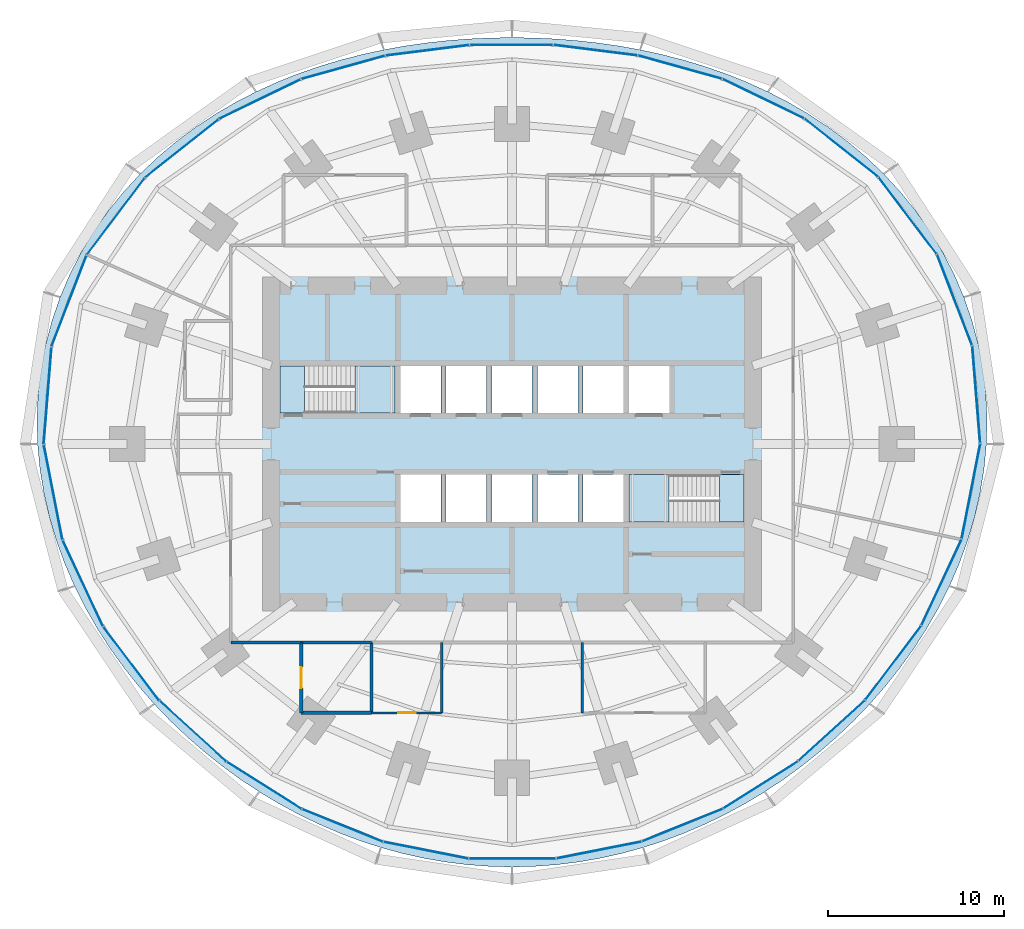
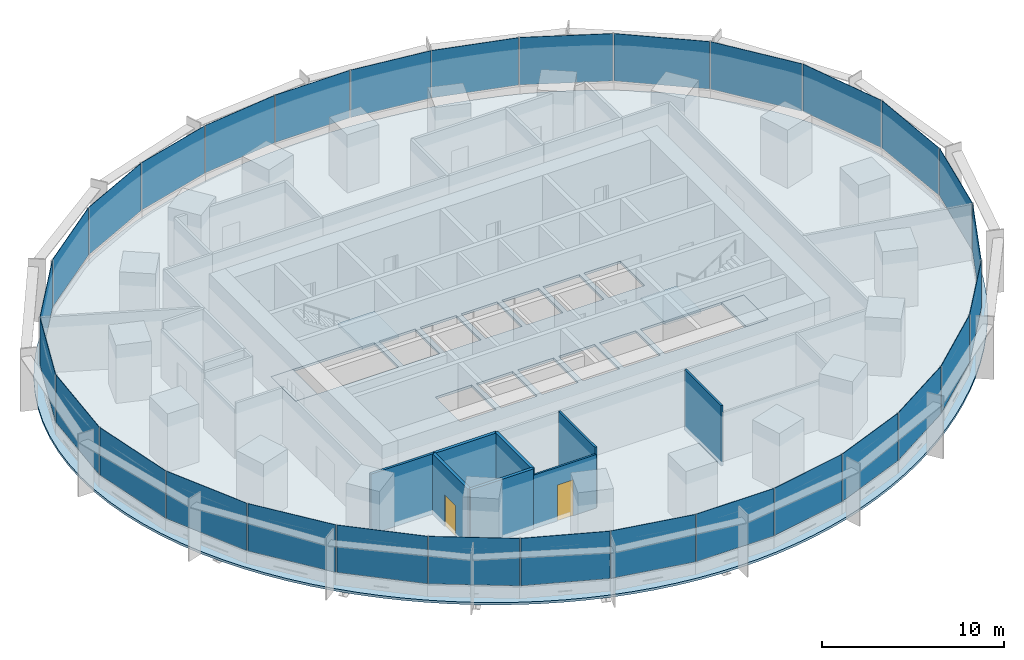
# One storey, part 10 of 15: 30 plates, 8 walls, 5 slabs, 2 doors, 2 openings, 8 elements without a shape of their own.
"""IFC4 building model written with IfcOpenShell, lengths in metres."""

from ifc_helpers import new_model, si_unit, direction, frame, frame_2d, origin, origin_2d, place, context, subcontext, project, spatial, polyline, rectangle, outline, extrude, material, layer, layer_set, type_object, element, fill, aggregate, save


model = new_model("IFC4")

# Units and contexts
model_context = context("Model", 3, precision=1e-05, world=origin(), true_north=direction((0.0, 1.0)))
body_context = subcontext(model_context, "Body", "Model", "MODEL_VIEW")
ifc_project = project(units=[si_unit("LENGTHUNIT", "METRE"), si_unit("AREAUNIT", "SQUARE_METRE"), si_unit("VOLUMEUNIT", "CUBIC_METRE"), si_unit("PLANEANGLEUNIT", "RADIAN"), si_unit("MASSUNIT", "GRAM", prefix="KILO")], contexts=[model_context])

# Site, building, storey
site_placement = place(None, origin())
site = spatial("IfcSite", under=ifc_project, at=site_placement, CompositionType="ELEMENT")
building_placement = place(site_placement, origin())
building = spatial("IfcBuilding", under=site, at=building_placement, Name="Marramba Exchange Tower", CompositionType="ELEMENT")
storey_placement = place(building_placement, frame((0.0, 0.0, 40.60009765625)))
storey = spatial("IfcBuildingStorey", under=building, at=storey_placement, Name="L09", CompositionType="ELEMENT", Elevation=40.60009765625)

# Slab
ifc_material_1 = material(Name="Concrete N40", Category="concrete")
ifc_layer_1 = layer(ifc_material_1, 0.159912109375)
ifc_layer_set_1 = layer_set([ifc_layer_1], Name="Composite floor slab 160")
slab_type_1 = type_object("IfcSlabType", Name="Composite floor slab 160", PredefinedType="FLOOR", material=ifc_layer_set_1)
slab_1_placement = place(storey_placement, frame((0.0, 0.0, -0.16015625)))
element("IfcSlab", 1, at=slab_1_placement, inside=storey, type_object=slab_type_1, Name="Floor slab L09", PredefinedType="FLOOR", context=body_context, shape_type="SweptSolid", body=[
    extrude(outline(polyline([(27.0, 0.0), (27.035888671875, 1.4169921875), (26.97265625, 2.8349609375), (26.80859375, 4.24609375), (26.5439453125, 5.64208984375), (26.179443359375, 7.0146484375), (25.717529296875, 8.356201171875), (25.16162109375, 9.65869140625), (24.516357421875, 10.915283203125), (23.786865234375, 12.1201171875), (22.9794921875, 13.267333984375), (22.10107421875, 14.3525390625), (21.158447265625, 15.37255859375), (20.159423828125, 16.32470703125), (19.11083984375, 17.20751953125), (18.020263671875, 18.020263671875), (16.89453125, 18.763427734375), (15.740478515625, 19.437744140625), (14.563720703125, 20.04541015625), (13.3701171875, 20.588134765625), (12.164306640625, 21.069091796875), (10.9501953125, 21.4912109375), (9.7314453125, 21.857421875), (8.5107421875, 22.1708984375), (7.289794921875, 22.435302734375), (6.06982421875, 22.6533203125), (4.85205078125, 22.827392578125), (3.636474609375, 22.96044921875), (2.423095703125, 23.053955078125), (1.211181640625, 23.109619140625), (0.0, 23.1279296875), (-1.211181640625, 23.109619140625), (-2.423095703125, 23.053955078125), (-3.636474609375, 22.96044921875), (-4.85205078125, 22.827392578125), (-6.06982421875, 22.6533203125), (-7.289794921875, 22.435302734375), (-8.5107421875, 22.1708984375), (-9.7314453125, 21.857421875), (-10.9501953125, 21.4912109375), (-12.164306640625, 21.069091796875), (-13.3701171875, 20.588134765625), (-14.563720703125, 20.04541015625), (-15.740478515625, 19.437744140625), (-16.89453125, 18.763427734375), (-18.020263671875, 18.020263671875), (-19.11083984375, 17.20751953125), (-20.159423828125, 16.32470703125), (-21.158447265625, 15.37255859375), (-22.10107421875, 14.3525390625), (-22.9794921875, 13.267333984375), (-23.786865234375, 12.1201171875), (-24.516357421875, 10.915283203125), (-25.16162109375, 9.65869140625), (-25.717529296875, 8.356201171875), (-26.179443359375, 7.0146484375), (-26.5439453125, 5.64208984375), (-26.80859375, 4.24609375), (-26.97265625, 2.8349609375), (-27.035888671875, 1.4169921875), (-27.0, 0.0), (-26.8671875, -1.407958984375), (-26.64111328125, -2.800048828125), (-26.326171875, -4.169677734375), (-25.927001953125, -5.510986328125), (-25.44921875, -6.819091796875), (-24.8984375, -8.090087890625), (-24.280517578125, -9.320556640625), (-23.60107421875, -10.5078125), (-22.865234375, -11.650390625), (-22.078369140625, -12.7470703125), (-21.244873046875, -13.796630859375), (-20.36865234375, -14.798583984375), (-19.453369140625, -15.753173828125), (-18.502197265625, -16.659423828125), (-17.517578125, -17.517578125), (-16.501953125, -18.327392578125), (-15.457275390625, -19.088134765625), (-14.385009765625, -19.799072265625), (-13.286865234375, -20.459716796875), (-12.164306640625, -21.069091796875), (-11.01904296875, -21.6259765625), (-9.8525390625, -22.129150390625), (-8.66650390625, -22.577392578125), (-7.463134765625, -22.968994140625), (-6.244140625, -23.30322265625), (-5.01171875, -23.578369140625), (-3.7685546875, -23.793701171875), (-2.51708984375, -23.947998046875), (-1.260009765625, -24.041015625), (0.0, -24.072021484375), (1.260009765625, -24.041015625), (2.51708984375, -23.947998046875), (3.7685546875, -23.793701171875), (5.01171875, -23.578369140625), (6.244140625, -23.30322265625), (7.463134765625, -22.968994140625), (8.66650390625, -22.577392578125), (9.8525390625, -22.129150390625), (11.01904296875, -21.6259765625), (12.164306640625, -21.069091796875), (13.286865234375, -20.459716796875), (14.385009765625, -19.799072265625), (15.457275390625, -19.088134765625), (16.501953125, -18.327392578125), (17.517578125, -17.517578125), (18.502197265625, -16.659423828125), (19.453369140625, -15.753173828125), (20.36865234375, -14.798583984375), (21.244873046875, -13.796630859375), (22.078369140625, -12.7470703125), (22.865234375, -11.650390625), (23.60107421875, -10.5078125), (24.280517578125, -9.320556640625), (24.8984375, -8.090087890625), (25.44921875, -6.819091796875), (25.927001953125, -5.510986328125), (26.326171875, -4.169677734375), (26.64111328125, -2.800048828125), (26.8671875, -1.407958984375), (27.0, 0.0)]), holes=[polyline([(-6.35009765625, 1.75), (-4.050048828125, 1.75), (-4.050048828125, 4.449951171875), (-6.35009765625, 4.449951171875), (-6.35009765625, 1.75)]), polyline([(-3.75, 1.75), (-1.449951171875, 1.75), (-1.449951171875, 4.449951171875), (-3.75, 4.449951171875), (-3.75, 1.75)]), polyline([(-1.14990234375, 1.75), (1.14990234375, 1.75), (1.14990234375, 4.449951171875), (-1.14990234375, 4.449951171875), (-1.14990234375, 1.75)]), polyline([(1.449951171875, 1.75), (3.75, 1.75), (3.75, 4.449951171875), (1.449951171875, 4.449951171875), (1.449951171875, 1.75)]), polyline([(4.050048828125, 1.75), (6.35009765625, 1.75), (6.35009765625, 4.449951171875), (4.050048828125, 4.449951171875), (4.050048828125, 1.75)]), polyline([(-6.35009765625, -4.449951171875), (-4.050048828125, -4.449951171875), (-4.050048828125, -1.75), (-6.35009765625, -1.75), (-6.35009765625, -4.449951171875)]), polyline([(-3.75, -4.449951171875), (-1.449951171875, -4.449951171875), (-1.449951171875, -1.75), (-3.75, -1.75), (-3.75, -4.449951171875)]), polyline([(-1.14990234375, -4.449951171875), (1.14990234375, -4.449951171875), (1.14990234375, -1.75), (-1.14990234375, -1.75), (-1.14990234375, -4.449951171875)]), polyline([(1.449951171875, -4.449951171875), (3.75, -4.449951171875), (3.75, -1.75), (1.449951171875, -1.75), (1.449951171875, -4.449951171875)]), polyline([(4.050048828125, -4.449951171875), (6.35009765625, -4.449951171875), (6.35009765625, -1.75), (4.050048828125, -1.75), (4.050048828125, -4.449951171875)]), polyline([(6.64990234375, 1.75), (8.949951171875, 1.75), (8.949951171875, 4.449951171875), (6.64990234375, 4.449951171875), (6.64990234375, 1.75)]), polyline([(-13.199951171875, 1.75), (-6.64990234375, 1.75), (-6.64990234375, 4.449951171875), (-13.199951171875, 4.449951171875), (-13.199951171875, 1.75)]), polyline([(6.64990234375, -4.449951171875), (13.199951171875, -4.449951171875), (13.199951171875, -1.75), (6.64990234375, -1.75), (6.64990234375, -4.449951171875)])]), origin(), (0.0, 0.0, 1.0), 0.16015625),
])

# Stair, slabs
ifc_material_2 = material(Name="Concrete N40 (40 MPa)", Category="concrete")
stair_type_1 = type_object("IfcStairType", Name="Exit stair ST1 4200 x 1250", PredefinedType="HALF_TURN_STAIR", material=ifc_material_2)
stair_1_placement = place(storey_placement, origin())
stair_1 = element("IfcStair", 2, at=stair_1_placement, inside=storey, type_object=stair_type_1, Name="Exit stair ST1 L09", PredefinedType="HALF_TURN_STAIR")
ifc_layer_2 = layer(ifc_material_2, 0.199951171875)
ifc_layer_set_2 = layer_set([ifc_layer_2], Name="Stair landing 200")
slab_type_2 = type_object("IfcSlabType", Name="Stair landing 200", PredefinedType="LANDING", material=ifc_layer_set_2)
slab_2_placement = place(storey_placement, frame((0.0, 0.0, -0.2001953125)))
slab_2 = element("IfcSlab", 3, at=slab_2_placement, type_object=slab_type_2, Name="ST1 landing 1", PredefinedType="LANDING", context=body_context, shape_type="SweptSolid", body=[
    extrude(outline(polyline([(-13.199951171875, 1.75), (-11.800048828125, 1.75), (-11.800048828125, 4.449951171875), (-13.199951171875, 4.449951171875), (-13.199951171875, 1.75)])), origin(), (0.0, 0.0, 1.0), 0.2001953125),
])
slab_3_placement = place(storey_placement, frame((0.0, 0.0, 1.89990234375)))
slab_3 = element("IfcSlab", 4, at=slab_3_placement, type_object=slab_type_2, Name="ST1 landing 2", PredefinedType="LANDING", context=body_context, shape_type="SweptSolid", body=[
    extrude(outline(polyline([(-8.93994140625, 1.75), (-6.64990234375, 1.75), (-6.64990234375, 4.449951171875), (-8.93994140625, 4.449951171875), (-8.93994140625, 1.75)])), origin(), (0.0, 0.0, 1.0), 0.199951171875),
])
aggregate(stair_1, [slab_2, slab_3])

stair_type_2 = type_object("IfcStairType", Name="Exit stair ST2 4200 x 1250", PredefinedType="HALF_TURN_STAIR", material=ifc_material_2)
stair_2_placement = place(storey_placement, origin())
stair_2 = element("IfcStair", 5, at=stair_2_placement, inside=storey, type_object=stair_type_2, Name="Exit stair ST2 L09", PredefinedType="HALF_TURN_STAIR")
slab_4_placement = place(storey_placement, frame((0.0, 0.0, -0.2001953125)))
slab_4 = element("IfcSlab", 6, at=slab_4_placement, type_object=slab_type_2, Name="ST2 landing 1", PredefinedType="LANDING", context=body_context, shape_type="SweptSolid", body=[
    extrude(outline(polyline([(11.800048828125, -4.449951171875), (13.199951171875, -4.449951171875), (13.199951171875, -1.75), (11.800048828125, -1.75), (11.800048828125, -4.449951171875)])), origin(), (0.0, 0.0, 1.0), 0.2001953125),
])
slab_5_placement = place(storey_placement, frame((0.0, 0.0, 1.89990234375)))
slab_5 = element("IfcSlab", 7, at=slab_5_placement, type_object=slab_type_2, Name="ST2 landing 2", PredefinedType="LANDING", context=body_context, shape_type="SweptSolid", body=[
    extrude(outline(polyline([(6.64990234375, -4.449951171875), (8.93994140625, -4.449951171875), (8.93994140625, -1.75), (6.64990234375, -1.75), (6.64990234375, -4.449951171875)])), origin(), (0.0, 0.0, 1.0), 0.199951171875),
])
aggregate(stair_2, [slab_4, slab_5])

# Curtain wall, plates
ifc_material_3 = material(Name="Aluminium framing, bronze anodised", Category="aluminium")
curtain_wall_type = type_object("IfcCurtainWallType", Name="Trading floor ribbon curtain wall", PredefinedType="USERDEFINED", material=ifc_material_3)
curtain_wall_1_placement = place(storey_placement, origin())
curtain_wall_1 = element("IfcCurtainWall", 8, at=curtain_wall_1_placement, inside=storey, type_object=curtain_wall_type, Name="Curtain wall CW3 L09 F01-F05", ObjectType="RIBBON CURTAIN WALL", PredefinedType="USERDEFINED")
ifc_material_4 = material(Name="Double glazed unit 10 + 12 + 8.76, bronze tinted", Category="glass")
ifc_layer_3 = layer(ifc_material_4, 0.03076171875)
ifc_layer_set_3 = layer_set([ifc_layer_3], Name="Trading floor ribbon curtain wall panel")
plate_type = type_object("IfcPlateType", Name="Trading floor ribbon curtain wall panel", PredefinedType="CURTAIN_PANEL", material=ifc_layer_set_3)
plate_1_placement = place(storey_placement, frame((26.42333984375, 2.814453125, 0.85986328125), z_axis=(0.0, 0.0, 1.0), x_axis=(-0.080275225953, 0.996772736434, 0.0)))
plate_1 = element("IfcPlate", 9, at=plate_1_placement, type_object=plate_type, Name="CW3 vision panel", PredefinedType="CURTAIN_PANEL", context=body_context, shape_type="SweptSolid", body=[
    extrude(rectangle(XDim=5.52734375, YDim=0.03076171875, at=origin_2d()), origin(), (0.0, 0.0, 1.0), 3.179931640625),
])
plate_2_placement = place(storey_placement, frame((25.188232421875, 8.19921875, 0.85986328125), z_axis=(0.0, 0.0, 1.0), x_axis=(-0.359525510698, 0.933135256626, 0.0)))
plate_2 = element("IfcPlate", 10, at=plate_2_placement, type_object=plate_type, Name="CW3 vision panel", PredefinedType="CURTAIN_PANEL", context=body_context, shape_type="SweptSolid", body=[
    extrude(rectangle(XDim=5.5166015625, YDim=0.03076171875, at=origin_2d()), origin(), (0.0, 0.0, 1.0), 3.179931640625),
])
plate_3_placement = place(storey_placement, frame((22.517822265625, 12.993896484375, 0.85986328125), z_axis=(0.0, 0.0, 1.0), x_axis=(-0.602989765036, 0.797748922445, 0.0)))
plate_3 = element("IfcPlate", 11, at=plate_3_placement, type_object=plate_type, Name="CW3 vision panel", PredefinedType="CURTAIN_PANEL", context=body_context, shape_type="SweptSolid", body=[
    extrude(rectangle(XDim=5.44775390625, YDim=0.03076171875, at=origin_2d()), origin(), (0.0, 0.0, 1.0), 3.179931640625),
])
plate_4_placement = place(storey_placement, frame((18.744384765625, 16.853759765625, 0.85986328125), z_axis=(0.0, 0.0, 1.0), x_axis=(-0.784087949432, 0.620649730166, 0.0)))
plate_4 = element("IfcPlate", 12, at=plate_4_placement, type_object=plate_type, Name="CW3 vision panel", PredefinedType="CURTAIN_PANEL", context=body_context, shape_type="SweptSolid", body=[
    extrude(rectangle(XDim=5.315673828125, YDim=0.03076171875, at=origin_2d()), origin(), (0.0, 0.0, 1.0), 3.179931640625),
])
plate_5_placement = place(storey_placement, frame((14.2978515625, 19.647705078125, 0.85986328125), z_axis=(0.0, 0.0, 1.0), x_axis=(-0.899963433508, 0.43596538664, 0.0)))
plate_5 = element("IfcPlate", 13, at=plate_5_placement, type_object=plate_type, Name="CW3 vision panel", PredefinedType="CURTAIN_PANEL", context=body_context, shape_type="SweptSolid", body=[
    extrude(rectangle(XDim=5.13037109375, YDim=0.03076171875, at=origin_2d()), origin(), (0.0, 0.0, 1.0), 3.179931640625),
])
aggregate(curtain_wall_1, [plate_1, plate_2, plate_3, plate_4, plate_5])

curtain_wall_2_placement = place(storey_placement, origin())
curtain_wall_2 = element("IfcCurtainWall", 14, at=curtain_wall_2_placement, inside=storey, type_object=curtain_wall_type, Name="Curtain wall CW3 L09 F06-F10", ObjectType="RIBBON CURTAIN WALL", PredefinedType="USERDEFINED")
plate_6_placement = place(storey_placement, frame((9.556396484375, 21.4423828125, 0.85986328125), z_axis=(0.0, 0.0, 1.0), x_axis=(-0.963472096649, 0.267808735815, 0.0)))
plate_6 = element("IfcPlate", 15, at=plate_6_placement, type_object=plate_type, Name="CW3 vision panel", PredefinedType="CURTAIN_PANEL", context=body_context, shape_type="SweptSolid", body=[
    extrude(rectangle(XDim=4.929931640625, YDim=0.03076171875, at=origin_2d()), origin(), (0.0, 0.0, 1.0), 3.179931640625),
])
plate_7_placement = place(storey_placement, frame((4.754150390625, 22.407958984375, 0.85986328125), z_axis=(0.0, 0.0, 1.0), x_axis=(-0.992172768738, 0.124872723099, 0.0)))
plate_7 = element("IfcPlate", 16, at=plate_7_placement, type_object=plate_type, Name="CW3 vision panel", PredefinedType="CURTAIN_PANEL", context=body_context, shape_type="SweptSolid", body=[
    extrude(rectangle(XDim=4.77294921875, YDim=0.03076171875, at=origin_2d()), origin(), (0.0, 0.0, 1.0), 3.179931640625),
])
plate_8_placement = place(storey_placement, frame((-0.030029296875, 22.7060546875, 0.85986328125), z_axis=(0.0, 0.0, 1.0), x_axis=(-1.0, 0.0, 0.0)))
plate_8 = element("IfcPlate", 17, at=plate_8_placement, type_object=plate_type, Name="CW3 vision panel", PredefinedType="CURTAIN_PANEL", context=body_context, shape_type="SweptSolid", body=[
    extrude(rectangle(XDim=4.712890625, YDim=0.03076171875, at=origin_2d()), origin(), (0.0, 0.0, 1.0), 3.179931640625),
])
plate_9_placement = place(storey_placement, frame((-4.813720703125, 22.400390625, 0.85986328125), z_axis=(0.0, 0.0, 1.0), x_axis=(-0.992172768738, -0.124872723099, 0.0)))
plate_9 = element("IfcPlate", 18, at=plate_9_placement, type_object=plate_type, Name="CW3 vision panel", PredefinedType="CURTAIN_PANEL", context=body_context, shape_type="SweptSolid", body=[
    extrude(rectangle(XDim=4.77294921875, YDim=0.03076171875, at=origin_2d()), origin(), (0.0, 0.0, 1.0), 3.179931640625),
])
plate_10_placement = place(storey_placement, frame((-9.6142578125, 21.42626953125, 0.85986328125), z_axis=(0.0, 0.0, 1.0), x_axis=(-0.963472096649, -0.267808735815, 0.0)))
plate_10 = element("IfcPlate", 19, at=plate_10_placement, type_object=plate_type, Name="CW3 vision panel", PredefinedType="CURTAIN_PANEL", context=body_context, shape_type="SweptSolid", body=[
    extrude(rectangle(XDim=4.929931640625, YDim=0.03076171875, at=origin_2d()), origin(), (0.0, 0.0, 1.0), 3.179931640625),
])
aggregate(curtain_wall_2, [plate_6, plate_7, plate_8, plate_9, plate_10])

curtain_wall_3_placement = place(storey_placement, origin())
curtain_wall_3 = element("IfcCurtainWall", 20, at=curtain_wall_3_placement, inside=storey, type_object=curtain_wall_type, Name="Curtain wall CW3 L09 F11-F15", ObjectType="RIBBON CURTAIN WALL", PredefinedType="USERDEFINED")
plate_11_placement = place(storey_placement, frame((-14.351806640625, 19.62158203125, 0.85986328125), z_axis=(0.0, 0.0, 1.0), x_axis=(-0.899963433508, -0.43596538664, 0.0)))
plate_11 = element("IfcPlate", 21, at=plate_11_placement, type_object=plate_type, Name="CW3 vision panel", PredefinedType="CURTAIN_PANEL", context=body_context, shape_type="SweptSolid", body=[
    extrude(rectangle(XDim=5.13037109375, YDim=0.03076171875, at=origin_2d()), origin(), (0.0, 0.0, 1.0), 3.179931640625),
])
plate_12_placement = place(storey_placement, frame((-18.79150390625, 16.81640625, 0.85986328125), z_axis=(0.0, 0.0, 1.0), x_axis=(-0.784087949432, -0.620649730166, 0.0)))
plate_12 = element("IfcPlate", 22, at=plate_12_placement, type_object=plate_type, Name="CW3 vision panel", PredefinedType="CURTAIN_PANEL", context=body_context, shape_type="SweptSolid", body=[
    extrude(rectangle(XDim=5.315673828125, YDim=0.03076171875, at=origin_2d()), origin(), (0.0, 0.0, 1.0), 3.179931640625),
])
plate_13_placement = place(storey_placement, frame((-22.553955078125, 12.946044921875, 0.85986328125), z_axis=(0.0, 0.0, 1.0), x_axis=(-0.602989765036, -0.797748922445, 0.0)))
plate_13 = element("IfcPlate", 23, at=plate_13_placement, type_object=plate_type, Name="CW3 vision panel", PredefinedType="CURTAIN_PANEL", context=body_context, shape_type="SweptSolid", body=[
    extrude(rectangle(XDim=5.44775390625, YDim=0.03076171875, at=origin_2d()), origin(), (0.0, 0.0, 1.0), 3.179931640625),
])
plate_14_placement = place(storey_placement, frame((-25.209716796875, 8.14306640625, 0.85986328125), z_axis=(0.0, 0.0, 1.0), x_axis=(-0.359525510698, -0.933135256626, 0.0)))
plate_14 = element("IfcPlate", 24, at=plate_14_placement, type_object=plate_type, Name="CW3 vision panel", PredefinedType="CURTAIN_PANEL", context=body_context, shape_type="SweptSolid", body=[
    extrude(rectangle(XDim=5.5166015625, YDim=0.03076171875, at=origin_2d()), origin(), (0.0, 0.0, 1.0), 3.179931640625),
])
plate_15_placement = place(storey_placement, frame((-26.42822265625, 2.754638671875, 0.85986328125), z_axis=(0.0, 0.0, 1.0), x_axis=(-0.080275225953, -0.996772736434, 0.0)))
plate_15 = element("IfcPlate", 25, at=plate_15_placement, type_object=plate_type, Name="CW3 vision panel", PredefinedType="CURTAIN_PANEL", context=body_context, shape_type="SweptSolid", body=[
    extrude(rectangle(XDim=5.52734375, YDim=0.03076171875, at=origin_2d()), origin(), (0.0, 0.0, 1.0), 3.179931640625),
])
aggregate(curtain_wall_3, [plate_11, plate_12, plate_13, plate_14, plate_15])

curtain_wall_4_placement = place(storey_placement, origin())
curtain_wall_4 = element("IfcCurtainWall", 26, at=curtain_wall_4_placement, inside=storey, type_object=curtain_wall_type, Name="Curtain wall CW3 L09 F16-F20", ObjectType="RIBBON CURTAIN WALL", PredefinedType="USERDEFINED")
plate_16_placement = place(storey_placement, frame((-26.111572265625, -2.74853515625, 0.85986328125), z_axis=(0.0, 0.0, 1.0), x_axis=(0.1922485756, -0.981346261612, 0.0)))
plate_16 = element("IfcPlate", 27, at=plate_16_placement, type_object=plate_type, Name="CW3 vision panel", PredefinedType="CURTAIN_PANEL", context=body_context, shape_type="SweptSolid", body=[
    extrude(rectangle(XDim=5.4814453125, YDim=0.03076171875, at=origin_2d()), origin(), (0.0, 0.0, 1.0), 3.179931640625),
])
plate_17_placement = place(storey_placement, frame((-24.420166015625, -7.928955078125, 0.85986328125), z_axis=(0.0, 0.0, 1.0), x_axis=(0.423477206492, -0.905906758768, 0.0)))
plate_17 = element("IfcPlate", 28, at=plate_17_placement, type_object=plate_type, Name="CW3 vision panel", PredefinedType="CURTAIN_PANEL", context=body_context, shape_type="SweptSolid", body=[
    extrude(rectangle(XDim=5.379150390625, YDim=0.03076171875, at=origin_2d()), origin(), (0.0, 0.0, 1.0), 3.179931640625),
])
plate_18_placement = place(storey_placement, frame((-21.665283203125, -12.503173828125, 0.85986328125), z_axis=(0.0, 0.0, 1.0), x_axis=(0.603040473588, -0.797710591138, 0.0)))
plate_18 = element("IfcPlate", 29, at=plate_18_placement, type_object=plate_type, Name="CW3 vision panel", PredefinedType="CURTAIN_PANEL", context=body_context, shape_type="SweptSolid", body=[
    extrude(rectangle(XDim=5.239501953125, YDim=0.03076171875, at=origin_2d()), origin(), (0.0, 0.0, 1.0), 3.179931640625),
])
plate_19_placement = place(storey_placement, frame((-18.154541015625, -16.350341796875, 0.85986328125), z_axis=(0.0, 0.0, 1.0), x_axis=(0.739589581463, -0.673058133441, 0.0)))
plate_19 = element("IfcPlate", 30, at=plate_19_placement, type_object=plate_type, Name="CW3 vision panel", PredefinedType="CURTAIN_PANEL", context=body_context, shape_type="SweptSolid", body=[
    extrude(rectangle(XDim=5.101806640625, YDim=0.03076171875, at=origin_2d()), origin(), (0.0, 0.0, 1.0), 3.179931640625),
])
plate_20_placement = place(storey_placement, frame((-14.103271484375, -19.4326171875, 0.85986328125), z_axis=(0.0, 0.0, 1.0), x_axis=(0.845790826298, -0.533514646612, 0.0)))
plate_20 = element("IfcPlate", 31, at=plate_20_placement, type_object=plate_type, Name="CW3 vision panel", PredefinedType="CURTAIN_PANEL", context=body_context, shape_type="SweptSolid", body=[
    extrude(rectangle(XDim=4.99853515625, YDim=0.03076171875, at=origin_2d()), origin(), (0.0, 0.0, 1.0), 3.179931640625),
])
aggregate(curtain_wall_4, [plate_16, plate_17, plate_18, plate_19, plate_20])

curtain_wall_5_placement = place(storey_placement, origin())
curtain_wall_5 = element("IfcCurtainWall", 32, at=curtain_wall_5_placement, inside=storey, type_object=curtain_wall_type, Name="Curtain wall CW3 L09 F21-F25", ObjectType="RIBBON CURTAIN WALL", PredefinedType="USERDEFINED")
plate_21_placement = place(storey_placement, frame((-9.644287109375, -21.71240234375, 0.85986328125), z_axis=(0.0, 0.0, 1.0), x_axis=(0.927340673283, -0.374218219325, 0.0)))
plate_21 = element("IfcPlate", 33, at=plate_21_placement, type_object=plate_type, Name="CW3 vision panel", PredefinedType="CURTAIN_PANEL", context=body_context, shape_type="SweptSolid", body=[
    extrude(rectangle(XDim=4.9375, YDim=0.03076171875, at=origin_2d()), origin(), (0.0, 0.0, 1.0), 3.179931640625),
])
plate_22_placement = place(storey_placement, frame((-4.88818359375, -23.1240234375, 0.85986328125), z_axis=(0.0, 0.0, 1.0), x_axis=(0.98100920064, -0.193961202977, 0.0)))
plate_22 = element("IfcPlate", 34, at=plate_22_placement, type_object=plate_type, Name="CW3 vision panel", PredefinedType="CURTAIN_PANEL", context=body_context, shape_type="SweptSolid", body=[
    extrude(rectangle(XDim=4.908935546875, YDim=0.03076171875, at=origin_2d()), origin(), (0.0, 0.0, 1.0), 3.179931640625),
])
plate_23_placement = place(storey_placement, frame((0.030029296875, -23.599853515625, 0.85986328125), z_axis=(0.0, 0.0, 1.0), x_axis=(1.0, 0.0, 0.0)))
plate_23 = element("IfcPlate", 35, at=plate_23_placement, type_object=plate_type, Name="CW3 vision panel", PredefinedType="CURTAIN_PANEL", context=body_context, shape_type="SweptSolid", body=[
    extrude(rectangle(XDim=4.90087890625, YDim=0.03076171875, at=origin_2d()), origin(), (0.0, 0.0, 1.0), 3.179931640625),
])
plate_24_placement = place(storey_placement, frame((4.947021484375, -23.1123046875, 0.85986328125), z_axis=(0.0, 0.0, 1.0), x_axis=(0.98100920064, 0.193961202977, 0.0)))
plate_24 = element("IfcPlate", 36, at=plate_24_placement, type_object=plate_type, Name="CW3 vision panel", PredefinedType="CURTAIN_PANEL", context=body_context, shape_type="SweptSolid", body=[
    extrude(rectangle(XDim=4.908935546875, YDim=0.03076171875, at=origin_2d()), origin(), (0.0, 0.0, 1.0), 3.179931640625),
])
plate_25_placement = place(storey_placement, frame((9.699951171875, -21.68994140625, 0.85986328125), z_axis=(0.0, 0.0, 1.0), x_axis=(0.927340673283, 0.374218219325, 0.0)))
plate_25 = element("IfcPlate", 37, at=plate_25_placement, type_object=plate_type, Name="CW3 vision panel", PredefinedType="CURTAIN_PANEL", context=body_context, shape_type="SweptSolid", body=[
    extrude(rectangle(XDim=4.9375, YDim=0.03076171875, at=origin_2d()), origin(), (0.0, 0.0, 1.0), 3.179931640625),
])
aggregate(curtain_wall_5, [plate_21, plate_22, plate_23, plate_24, plate_25])

curtain_wall_6_placement = place(storey_placement, origin())
curtain_wall_6 = element("IfcCurtainWall", 38, at=curtain_wall_6_placement, inside=storey, type_object=curtain_wall_type, Name="Curtain wall CW3 L09 F26-F30", ObjectType="RIBBON CURTAIN WALL", PredefinedType="USERDEFINED")
plate_26_placement = place(storey_placement, frame((14.15380859375, -19.400634765625, 0.85986328125), z_axis=(0.0, 0.0, 1.0), x_axis=(0.845790826298, 0.533514646612, 0.0)))
plate_26 = element("IfcPlate", 39, at=plate_26_placement, type_object=plate_type, Name="CW3 vision panel", PredefinedType="CURTAIN_PANEL", context=body_context, shape_type="SweptSolid", body=[
    extrude(rectangle(XDim=4.99853515625, YDim=0.03076171875, at=origin_2d()), origin(), (0.0, 0.0, 1.0), 3.179931640625),
])
plate_27_placement = place(storey_placement, frame((18.19873046875, -16.309814453125, 0.85986328125), z_axis=(0.0, 0.0, 1.0), x_axis=(0.739589581463, 0.673058133441, 0.0)))
plate_27 = element("IfcPlate", 40, at=plate_27_placement, type_object=plate_type, Name="CW3 vision panel", PredefinedType="CURTAIN_PANEL", context=body_context, shape_type="SweptSolid", body=[
    extrude(rectangle(XDim=5.101806640625, YDim=0.03076171875, at=origin_2d()), origin(), (0.0, 0.0, 1.0), 3.179931640625),
])
plate_28_placement = place(storey_placement, frame((21.701416015625, -12.455322265625, 0.85986328125), z_axis=(0.0, 0.0, 1.0), x_axis=(0.603040473588, 0.797710591138, 0.0)))
plate_28 = element("IfcPlate", 41, at=plate_28_placement, type_object=plate_type, Name="CW3 vision panel", PredefinedType="CURTAIN_PANEL", context=body_context, shape_type="SweptSolid", body=[
    extrude(rectangle(XDim=5.239501953125, YDim=0.03076171875, at=origin_2d()), origin(), (0.0, 0.0, 1.0), 3.179931640625),
])
plate_29_placement = place(storey_placement, frame((24.44580078125, -7.874755859375, 0.85986328125), z_axis=(0.0, 0.0, 1.0), x_axis=(0.423477206492, 0.905906758768, 0.0)))
plate_29 = element("IfcPlate", 42, at=plate_29_placement, type_object=plate_type, Name="CW3 vision panel", PredefinedType="CURTAIN_PANEL", context=body_context, shape_type="SweptSolid", body=[
    extrude(rectangle(XDim=5.379150390625, YDim=0.03076171875, at=origin_2d()), origin(), (0.0, 0.0, 1.0), 3.179931640625),
])
plate_30_placement = place(storey_placement, frame((26.123046875, -2.689697265625, 0.85986328125), z_axis=(0.0, 0.0, 1.0), x_axis=(0.1922485756, 0.981346261612, 0.0)))
plate_30 = element("IfcPlate", 43, at=plate_30_placement, type_object=plate_type, Name="CW3 vision panel", PredefinedType="CURTAIN_PANEL", context=body_context, shape_type="SweptSolid", body=[
    extrude(rectangle(XDim=5.4814453125, YDim=0.03076171875, at=origin_2d()), origin(), (0.0, 0.0, 1.0), 3.179931640625),
])
aggregate(curtain_wall_6, [plate_26, plate_27, plate_28, plate_29, plate_30])

# Wall, opening, door
ifc_material_5 = material(Name="Core-filled concrete blockwork, rendered", Category="masonry")
ifc_layer_4 = layer(ifc_material_5, 0.18994140625)
ifc_layer_set_4 = layer_set([ifc_layer_4], Name="Equipment room wall 190")
wall_type_1 = type_object("IfcWallType", Name="Equipment room wall 190", PredefinedType="SOLIDWALL", material=ifc_layer_set_4)
wall_1_placement = place(storey_placement, frame((-12.0, -11.300048828125, 0.0), z_axis=(0.0, 0.0, 1.0), x_axis=(0.0, -1.0, 0.0)))
wall_1 = element("IfcWall", 44, at=wall_1_placement, inside=storey, type_object=wall_type_1, Name="Equipment room wall L09 04", PredefinedType="SOLIDWALL", context=body_context, shape_type="SweptSolid", body=[
    extrude(rectangle(XDim=4.0, YDim=0.18994140625, at=frame_2d((2.0, 0.0))), origin(), (0.0, 0.0, 1.0), 4.039794921875),
])
opening_1_placement = place(wall_1_placement, frame((1.39990234375, 0.0, 0.0)))
opening_1 = element("IfcOpeningElement", 45, at=opening_1_placement, cuts=wall_1, Name="Opening D16", PredefinedType="OPENING", context=body_context, shape_type="SweptSolid", body=[
    extrude(rectangle(XDim=1.199951171875, YDim=2.10009765625, at=frame_2d((0.60009765625, 1.050048828125))), frame((0.0, 0.10498046875, 0.0), z_axis=(0.0, -1.0, 0.0), x_axis=(1.0, 0.0, 0.0)), (0.0, 0.0, 1.0), 0.2099609375),
])
ifc_material_6 = material(Name="Steel-framed door", Category="steel")
door_type_1 = type_object("IfcDoorType", Name="Equipment room door 1200x2100", OperationType="SINGLE_SWING_LEFT", PredefinedType="DOOR", material=ifc_material_6)
door_1_placement = place(opening_1_placement, origin())
door_1 = element("IfcDoor", 46, at=door_1_placement, inside=storey, type_object=door_type_1, Name="D16 Data Room 2 L09", OperationType="SINGLE_SWING_RIGHT", OverallHeight=2.10009765625, OverallWidth=1.199951171875, PredefinedType="DOOR", context=body_context, shape_type="SweptSolid", body=[
    extrude(rectangle(XDim=1.199951171875, YDim=2.10009765625, at=frame_2d((0.60009765625, 1.050048828125))), frame((0.0, 0.02490234375, 0.0), z_axis=(0.0, -1.0, 0.0), x_axis=(1.0, 0.0, 0.0)), (0.0, 0.0, 1.0), 0.050048828125),
])
fill(opening_1, door_1)

# Walls
for number, where, z_axis, x_axis, name in (
    (47, (-8.0, -11.300048828125, 0.0), (0.0, 0.0, 1.0), (-1.0, 0.0, 0.0), "Equipment room wall L09 05"),
    (48, (-12.0, -15.300048828125, 0.0), (0.0, 0.0, 1.0), (1.0, 0.0, 0.0), "Equipment room wall L09 06"),
    (49, (-8.0, -11.300048828125, 0.0), (0.0, 0.0, 1.0), (0.0, -1.0, 0.0), "Equipment room wall L09 07"),
):
    element("IfcWall", number, at=place(storey_placement, frame(where, z_axis=z_axis, x_axis=x_axis)), inside=storey, type_object=wall_type_1, Name=name, PredefinedType="SOLIDWALL", context=body_context, shape_type="SweptSolid", body=[
        extrude(rectangle(XDim=4.0, YDim=0.18994140625, at=frame_2d((2.0, 0.0))), origin(), (0.0, 0.0, 1.0), 4.039794921875),
    ])

# Wall, opening, door
ifc_material_7 = material(Name="Plasterboard on steel studs", Category="steel")
ifc_layer_5 = layer(ifc_material_7, 0.1201171875)
ifc_layer_set_5 = layer_set([ifc_layer_5], Name="Partition 120")
wall_type_2 = type_object("IfcWallType", Name="Partition 120", PredefinedType="PARTITIONING", material=ifc_layer_set_5)
wall_2_placement = place(storey_placement, frame((-8.0, -15.300048828125, 0.0), z_axis=(0.0, 0.0, 1.0), x_axis=(1.0, 0.0, 0.0)))
wall_2 = element("IfcWall", 50, at=wall_2_placement, inside=storey, type_object=wall_type_2, Name="Partition L09 08", PredefinedType="PARTITIONING", context=body_context, shape_type="SweptSolid", body=[
    extrude(rectangle(XDim=4.0, YDim=0.1201171875, at=frame_2d((2.0, 0.0))), origin(), (0.0, 0.0, 1.0), 3.5859375),
])
opening_2_placement = place(wall_2_placement, frame((1.52587890625, 0.0, 0.0)))
opening_2 = element("IfcOpeningElement", 51, at=opening_2_placement, cuts=wall_2, Name="Opening D9", PredefinedType="OPENING", context=body_context, shape_type="SweptSolid", body=[
    extrude(rectangle(XDim=1.0, YDim=2.39990234375, at=frame_2d((0.5, 1.199951171875))), frame((0.0, 0.070068359375, 0.0), z_axis=(0.0, -1.0, 0.0), x_axis=(1.0, 0.0, 0.0)), (0.0, 0.0, 1.0), 0.14013671875),
])
ifc_material_8 = material(Name="Timber door", Category="wood")
door_type_2 = type_object("IfcDoorType", Name="Room door 1000x2400", OperationType="SINGLE_SWING_LEFT", PredefinedType="DOOR", material=ifc_material_8)
door_2_placement = place(opening_2_placement, origin())
door_2 = element("IfcDoor", 52, at=door_2_placement, inside=storey, type_object=door_type_2, Name="D9 Print Room L09", OperationType="SINGLE_SWING_RIGHT", OverallHeight=2.39990234375, OverallWidth=1.0, PredefinedType="DOOR", context=body_context, shape_type="SweptSolid", body=[
    extrude(rectangle(XDim=1.0, YDim=2.39990234375, at=frame_2d((0.5, 1.199951171875))), frame((0.0, 0.02490234375, 0.0), z_axis=(0.0, -1.0, 0.0), x_axis=(1.0, 0.0, 0.0)), (0.0, 0.0, 1.0), 0.050048828125),
])
fill(opening_2, door_2)

# Walls
for number, where, z_axis, x_axis, name in (
    (53, (-4.0, -15.300048828125, 0.0), (0.0, 0.0, 1.0), (0.0, 1.0, 0.0), "Partition L09 09"),
    (54, (4.0, -11.300048828125, 0.0), (0.0, 0.0, 1.0), (0.0, -1.0, 0.0), "Partition L09 10"),
):
    element("IfcWall", number, at=place(storey_placement, frame(where, z_axis=z_axis, x_axis=x_axis)), inside=storey, type_object=wall_type_2, Name=name, PredefinedType="PARTITIONING", context=body_context, shape_type="SweptSolid", body=[
        extrude(rectangle(XDim=4.0, YDim=0.1201171875, at=frame_2d((2.0, 0.0))), origin(), (0.0, 0.0, 1.0), 4.039794921875),
    ])
ifc_material_9 = material(Name="Fire-rated plasterboard on steel studs, acoustic insulation", Category="steel")
ifc_layer_6 = layer(ifc_material_9, 0.14990234375)
ifc_layer_set_6 = layer_set([ifc_layer_6], Name="Tenancy wall 150")
wall_type_3 = type_object("IfcWallType", Name="Tenancy wall 150", PredefinedType="PARTITIONING", material=ifc_layer_set_6)
wall_3_placement = place(storey_placement, frame((-16.0, -11.300048828125, 0.0), z_axis=(0.0, 0.0, 1.0), x_axis=(1.0, 0.0, 0.0)))
element("IfcWall", 55, at=wall_3_placement, inside=storey, type_object=wall_type_3, Name="Tenancy wall L09 03", PredefinedType="PARTITIONING", context=body_context, shape_type="SweptSolid", body=[
    extrude(rectangle(XDim=4.0, YDim=0.14990234375, at=frame_2d((2.0, 0.0))), origin(), (0.0, 0.0, 1.0), 4.039794921875),
])

save(model, "model.ifc")
